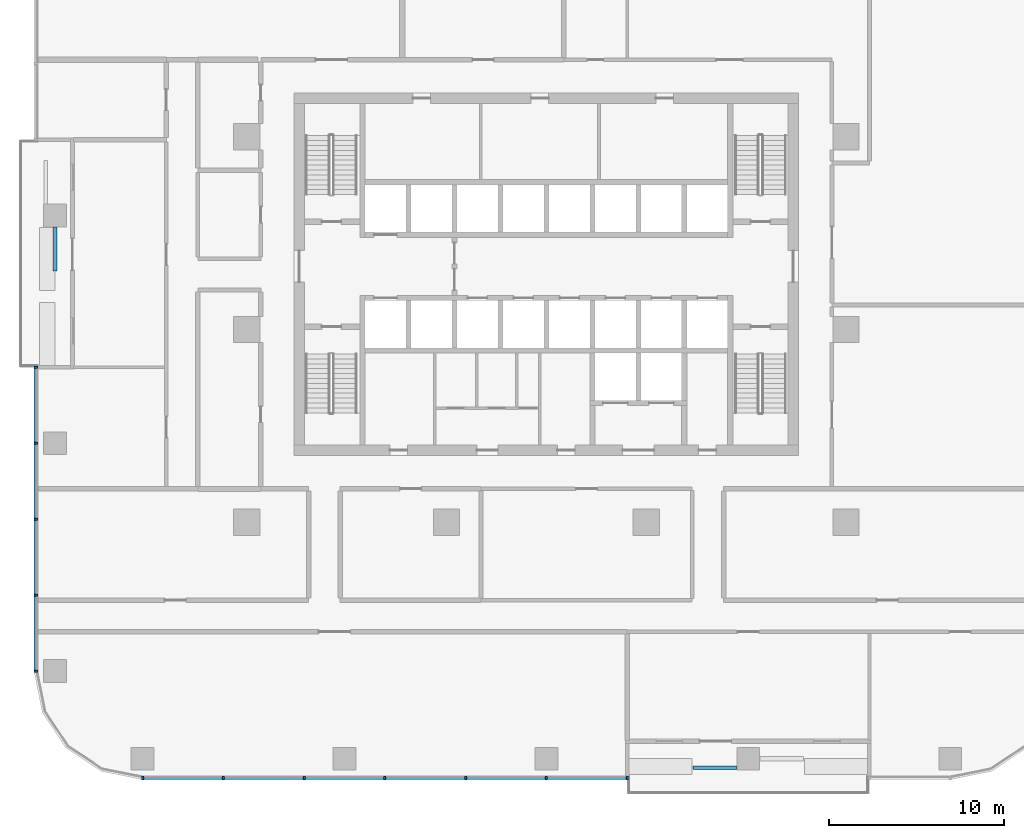
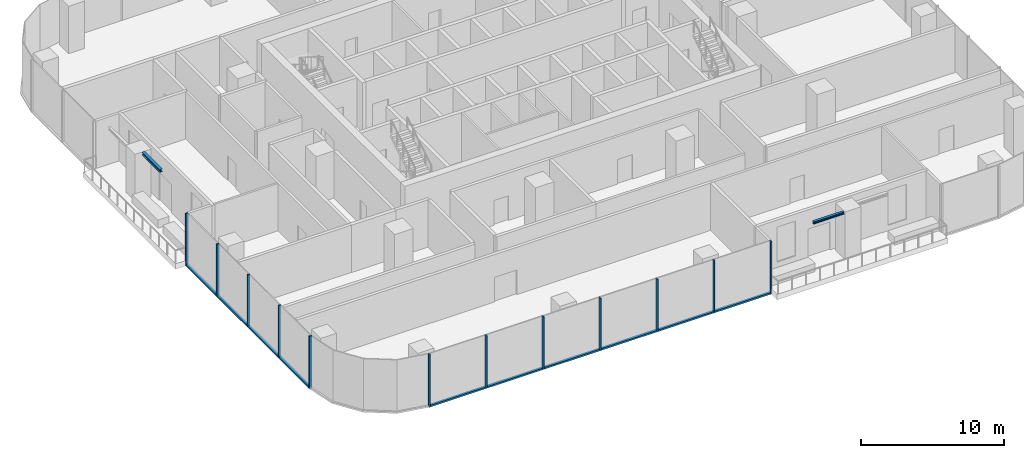
# One storey, part 2 of 15: 22 members, 2 beams, 2 elements without a shape of their own.
"""IFC4 building model written with IfcOpenShell, lengths in metres."""

from ifc_helpers import new_model, si_unit, direction, frame, origin, origin_2d, place, context, subcontext, project, spatial, rectangle, i_section, extrude, material, material_profile, profile_set, type_object, element, aggregate, save


model = new_model("IFC4")

# Units and contexts
model_context = context("Model", 3, precision=1e-05, world=origin(), true_north=direction((0.0, 1.0)))
body_context = subcontext(model_context, "Body", "Model", "MODEL_VIEW")
ifc_project = project(units=[si_unit("LENGTHUNIT", "METRE"), si_unit("AREAUNIT", "SQUARE_METRE"), si_unit("VOLUMEUNIT", "CUBIC_METRE"), si_unit("PLANEANGLEUNIT", "RADIAN"), si_unit("MASSUNIT", "GRAM", prefix="KILO")], contexts=[model_context])

# Site, building, storey
site_placement = place(None, origin())
site = spatial("IfcSite", under=ifc_project, at=site_placement, CompositionType="ELEMENT")
building_placement = place(site_placement, origin())
building = spatial("IfcBuilding", under=site, at=building_placement, Name="Mopane Tessera Tower", CompositionType="ELEMENT")
storey_placement = place(building_placement, frame((0.0, 0.0, 99.10009765625)))
storey = spatial("IfcBuildingStorey", under=building, at=storey_placement, Name="L19", CompositionType="ELEMENT", Elevation=99.10009765625)

# Curtain wall, members
ifc_material_1 = material(Name="Aluminium frame", Category="aluminium")
curtain_wall_type = type_object("IfcCurtainWallType", Name="Lower tower unitised wall", PredefinedType="NOTDEFINED", material=ifc_material_1)
curtain_wall_1_placement = place(storey_placement, origin())
curtain_wall_1 = element("IfcCurtainWall", 1, at=curtain_wall_1_placement, inside=storey, type_object=curtain_wall_type, Name="e:cw:L19:S:0", PredefinedType="NOTDEFINED")
ifc_material_2 = material(Name="Aluminium frame", Category="aluminium")
ifc_material_profile_1 = material_profile(ifc_material_2, rectangle(XDim=0.110107421875, YDim=0.199951171875, at=origin_2d()))
ifc_profile_set_1 = profile_set([ifc_material_profile_1], Name="Aluminium frame")
member_type_1 = type_object("IfcMemberType", Name="Aluminium mullion 110 x 200", PredefinedType="MULLION", material=ifc_profile_set_1)
member_1_placement = place(storey_placement, frame((-23.050048828125, -25.60009765625, -0.4501953125), z_axis=(0.0, 0.0, 1.0), x_axis=(1.0, 0.0, 0.0)))
member_1 = element("IfcMember", 2, at=member_1_placement, type_object=member_type_1, Name="e:cw:L19:S:0:mu0", PredefinedType="MULLION", context=body_context, shape_type="SweptSolid", body=[
    extrude(rectangle(XDim=0.110107421875, YDim=0.199951171875, at=origin_2d()), origin(), (0.0, 0.0, 1.0), 4.5),
])
member_2_placement = place(storey_placement, frame((-18.43994140625, -25.60009765625, -0.4501953125), z_axis=(0.0, 0.0, 1.0), x_axis=(1.0, 0.0, 0.0)))
member_2 = element("IfcMember", 3, at=member_2_placement, type_object=member_type_1, Name="e:cw:L19:S:0:mu1", PredefinedType="MULLION", context=body_context, shape_type="SweptSolid", body=[
    extrude(rectangle(XDim=0.110107421875, YDim=0.199951171875, at=origin_2d()), origin(), (0.0, 0.0, 1.0), 4.5),
])
member_3_placement = place(storey_placement, frame((-13.830078125, -25.60009765625, -0.4501953125), z_axis=(0.0, 0.0, 1.0), x_axis=(1.0, 0.0, 0.0)))
member_3 = element("IfcMember", 4, at=member_3_placement, type_object=member_type_1, Name="e:cw:L19:S:0:mu2", PredefinedType="MULLION", context=body_context, shape_type="SweptSolid", body=[
    extrude(rectangle(XDim=0.110107421875, YDim=0.199951171875, at=origin_2d()), origin(), (0.0, 0.0, 1.0), 4.5),
])
member_4_placement = place(storey_placement, frame((-9.219970703125, -25.60009765625, -0.4501953125), z_axis=(0.0, 0.0, 1.0), x_axis=(1.0, 0.0, 0.0)))
member_4 = element("IfcMember", 5, at=member_4_placement, type_object=member_type_1, Name="e:cw:L19:S:0:mu3", PredefinedType="MULLION", context=body_context, shape_type="SweptSolid", body=[
    extrude(rectangle(XDim=0.110107421875, YDim=0.199951171875, at=origin_2d()), origin(), (0.0, 0.0, 1.0), 4.5),
])
member_5_placement = place(storey_placement, frame((-4.610107421875, -25.60009765625, -0.4501953125), z_axis=(0.0, 0.0, 1.0), x_axis=(1.0, 0.0, 0.0)))
member_5 = element("IfcMember", 6, at=member_5_placement, type_object=member_type_1, Name="e:cw:L19:S:0:mu4", PredefinedType="MULLION", context=body_context, shape_type="SweptSolid", body=[
    extrude(rectangle(XDim=0.110107421875, YDim=0.199951171875, at=origin_2d()), origin(), (0.0, 0.0, 1.0), 4.5),
])
member_6_placement = place(storey_placement, frame((0.0, -25.60009765625, -0.4501953125), z_axis=(0.0, 0.0, 1.0), x_axis=(1.0, 0.0, 0.0)))
member_6 = element("IfcMember", 7, at=member_6_placement, type_object=member_type_1, Name="e:cw:L19:S:0:mu5", PredefinedType="MULLION", context=body_context, shape_type="SweptSolid", body=[
    extrude(rectangle(XDim=0.110107421875, YDim=0.199951171875, at=origin_2d()), origin(), (0.0, 0.0, 1.0), 4.5),
])
member_7_placement = place(storey_placement, frame((4.610107421875, -25.60009765625, -0.4501953125), z_axis=(0.0, 0.0, 1.0), x_axis=(1.0, 0.0, 0.0)))
member_7 = element("IfcMember", 8, at=member_7_placement, type_object=member_type_1, Name="e:cw:L19:S:0:mu6", PredefinedType="MULLION", context=body_context, shape_type="SweptSolid", body=[
    extrude(rectangle(XDim=0.110107421875, YDim=0.199951171875, at=origin_2d()), origin(), (0.0, 0.0, 1.0), 4.5),
])

curtain_wall_2_placement = place(storey_placement, origin())
curtain_wall_2 = element("IfcCurtainWall", 9, at=curtain_wall_2_placement, inside=storey, type_object=curtain_wall_type, Name="e:cw:L19:W:5", PredefinedType="NOTDEFINED")
member_8_placement = place(storey_placement, frame((-29.14990234375, -2.166748046875, -0.4501953125), z_axis=(0.0, 0.0, 1.0), x_axis=(0.0, -1.0, 0.0)))
member_8 = element("IfcMember", 10, at=member_8_placement, type_object=member_type_1, Name="e:cw:L19:W:5:mu5", PredefinedType="MULLION", context=body_context, shape_type="SweptSolid", body=[
    extrude(rectangle(XDim=0.110107421875, YDim=0.199951171875, at=origin_2d()), origin(), (0.0, 0.0, 1.0), 4.5),
])
member_9_placement = place(storey_placement, frame((-29.14990234375, -6.5, -0.4501953125), z_axis=(0.0, 0.0, 1.0), x_axis=(0.0, -1.0, 0.0)))
member_9 = element("IfcMember", 11, at=member_9_placement, type_object=member_type_1, Name="e:cw:L19:W:5:mu6", PredefinedType="MULLION", context=body_context, shape_type="SweptSolid", body=[
    extrude(rectangle(XDim=0.110107421875, YDim=0.199951171875, at=origin_2d()), origin(), (0.0, 0.0, 1.0), 4.5),
])
member_10_placement = place(storey_placement, frame((-29.14990234375, -10.833251953125, -0.4501953125), z_axis=(0.0, 0.0, 1.0), x_axis=(0.0, -1.0, 0.0)))
member_10 = element("IfcMember", 12, at=member_10_placement, type_object=member_type_1, Name="e:cw:L19:W:5:mu7", PredefinedType="MULLION", context=body_context, shape_type="SweptSolid", body=[
    extrude(rectangle(XDim=0.110107421875, YDim=0.199951171875, at=origin_2d()), origin(), (0.0, 0.0, 1.0), 4.5),
])
member_11_placement = place(storey_placement, frame((-29.14990234375, -15.166748046875, -0.4501953125), z_axis=(0.0, 0.0, 1.0), x_axis=(0.0, -1.0, 0.0)))
member_11 = element("IfcMember", 13, at=member_11_placement, type_object=member_type_1, Name="e:cw:L19:W:5:mu8", PredefinedType="MULLION", context=body_context, shape_type="SweptSolid", body=[
    extrude(rectangle(XDim=0.110107421875, YDim=0.199951171875, at=origin_2d()), origin(), (0.0, 0.0, 1.0), 4.5),
])
member_12_placement = place(storey_placement, frame((-29.14990234375, -19.5, -0.4501953125), z_axis=(0.0, 0.0, 1.0), x_axis=(0.0, -1.0, 0.0)))
member_12 = element("IfcMember", 14, at=member_12_placement, type_object=member_type_1, Name="e:cw:L19:W:5:mu9", PredefinedType="MULLION", context=body_context, shape_type="SweptSolid", body=[
    extrude(rectangle(XDim=0.110107421875, YDim=0.199951171875, at=origin_2d()), origin(), (0.0, 0.0, 1.0), 4.5),
])

# Member
ifc_material_3 = material(Name="Aluminium frame", Category="aluminium")
ifc_material_profile_2 = material_profile(ifc_material_3, rectangle(XDim=0.199951171875, YDim=0.139892578125, at=origin_2d()))
ifc_profile_set_2 = profile_set([ifc_material_profile_2], Name="Aluminium frame")
member_type_2 = type_object("IfcMemberType", Name="Aluminium transom 200 x 140", PredefinedType="USERDEFINED", material=ifc_profile_set_2)
member_13_placement = place(storey_placement, frame((-22.9951171875, -25.60009765625, -0.380126953125), z_axis=(1.0, 0.0, 0.0), x_axis=(0.0, 1.0, 0.0)))
member_13 = element("IfcMember", 15, at=member_13_placement, type_object=member_type_2, Name="e:cw:L19:S:0:tr0", ObjectType="TRANSOM", PredefinedType="USERDEFINED", context=body_context, shape_type="SweptSolid", body=[
    extrude(rectangle(XDim=0.199951171875, YDim=0.139892578125, at=origin_2d()), origin(), (0.0, 0.0, 1.0), 4.5),
])

member_14_placement = place(storey_placement, frame((-18.385009765625, -25.60009765625, -0.380126953125), z_axis=(1.0, 0.0, 0.0), x_axis=(0.0, 1.0, 0.0)))
member_14 = element("IfcMember", 16, at=member_14_placement, type_object=member_type_2, Name="e:cw:L19:S:0:tr1", ObjectType="TRANSOM", PredefinedType="USERDEFINED", context=body_context, shape_type="SweptSolid", body=[
    extrude(rectangle(XDim=0.199951171875, YDim=0.139892578125, at=origin_2d()), origin(), (0.0, 0.0, 1.0), 4.5),
])

member_15_placement = place(storey_placement, frame((-13.77490234375, -25.60009765625, -0.380126953125), z_axis=(1.0, 0.0, 0.0), x_axis=(0.0, 1.0, 0.0)))
member_15 = element("IfcMember", 17, at=member_15_placement, type_object=member_type_2, Name="e:cw:L19:S:0:tr2", ObjectType="TRANSOM", PredefinedType="USERDEFINED", context=body_context, shape_type="SweptSolid", body=[
    extrude(rectangle(XDim=0.199951171875, YDim=0.139892578125, at=origin_2d()), origin(), (0.0, 0.0, 1.0), 4.5),
])

member_16_placement = place(storey_placement, frame((-9.1650390625, -25.60009765625, -0.380126953125), z_axis=(1.0, 0.0, 0.0), x_axis=(0.0, 1.0, 0.0)))
member_16 = element("IfcMember", 18, at=member_16_placement, type_object=member_type_2, Name="e:cw:L19:S:0:tr3", ObjectType="TRANSOM", PredefinedType="USERDEFINED", context=body_context, shape_type="SweptSolid", body=[
    extrude(rectangle(XDim=0.199951171875, YDim=0.139892578125, at=origin_2d()), origin(), (0.0, 0.0, 1.0), 4.5),
])

member_17_placement = place(storey_placement, frame((-4.554931640625, -25.60009765625, -0.380126953125), z_axis=(1.0, 0.0, 0.0), x_axis=(0.0, 1.0, 0.0)))
member_17 = element("IfcMember", 19, at=member_17_placement, type_object=member_type_2, Name="e:cw:L19:S:0:tr4", ObjectType="TRANSOM", PredefinedType="USERDEFINED", context=body_context, shape_type="SweptSolid", body=[
    extrude(rectangle(XDim=0.199951171875, YDim=0.139892578125, at=origin_2d()), origin(), (0.0, 0.0, 1.0), 4.5),
])

member_18_placement = place(storey_placement, frame((0.054931640625, -25.60009765625, -0.380126953125), z_axis=(1.0, 0.0, 0.0), x_axis=(0.0, 1.0, 0.0)))
member_18 = element("IfcMember", 20, at=member_18_placement, type_object=member_type_2, Name="e:cw:L19:S:0:tr5", ObjectType="TRANSOM", PredefinedType="USERDEFINED", context=body_context, shape_type="SweptSolid", body=[
    extrude(rectangle(XDim=0.199951171875, YDim=0.139892578125, at=origin_2d()), origin(), (0.0, 0.0, 1.0), 4.5),
])

aggregate(curtain_wall_1, [member_1, member_2, member_3, member_4, member_5, member_6, member_7, member_13, member_14, member_15, member_16, member_17, member_18])

member_19_placement = place(storey_placement, frame((-29.14990234375, -2.2216796875, -0.380126953125), z_axis=(0.0, -1.0, 0.0), x_axis=(1.0, 0.0, 0.0)))
member_19 = element("IfcMember", 21, at=member_19_placement, type_object=member_type_2, Name="e:cw:L19:W:5:tr5", ObjectType="TRANSOM", PredefinedType="USERDEFINED", context=body_context, shape_type="SweptSolid", body=[
    extrude(rectangle(XDim=0.199951171875, YDim=0.139892578125, at=origin_2d()), origin(), (0.0, 0.0, 1.0), 4.223388671875),
])

member_20_placement = place(storey_placement, frame((-29.14990234375, -6.554931640625, -0.380126953125), z_axis=(0.0, -1.0, 0.0), x_axis=(1.0, 0.0, 0.0)))
member_20 = element("IfcMember", 22, at=member_20_placement, type_object=member_type_2, Name="e:cw:L19:W:5:tr6", ObjectType="TRANSOM", PredefinedType="USERDEFINED", context=body_context, shape_type="SweptSolid", body=[
    extrude(rectangle(XDim=0.199951171875, YDim=0.139892578125, at=origin_2d()), origin(), (0.0, 0.0, 1.0), 4.223388671875),
])

member_21_placement = place(storey_placement, frame((-29.14990234375, -10.888427734375, -0.380126953125), z_axis=(0.0, -1.0, 0.0), x_axis=(1.0, 0.0, 0.0)))
member_21 = element("IfcMember", 23, at=member_21_placement, type_object=member_type_2, Name="e:cw:L19:W:5:tr7", ObjectType="TRANSOM", PredefinedType="USERDEFINED", context=body_context, shape_type="SweptSolid", body=[
    extrude(rectangle(XDim=0.199951171875, YDim=0.139892578125, at=origin_2d()), origin(), (0.0, 0.0, 1.0), 4.22314453125),
])

member_22_placement = place(storey_placement, frame((-29.14990234375, -15.2216796875, -0.380126953125), z_axis=(0.0, -1.0, 0.0), x_axis=(1.0, 0.0, 0.0)))
member_22 = element("IfcMember", 24, at=member_22_placement, type_object=member_type_2, Name="e:cw:L19:W:5:tr8", ObjectType="TRANSOM", PredefinedType="USERDEFINED", context=body_context, shape_type="SweptSolid", body=[
    extrude(rectangle(XDim=0.199951171875, YDim=0.139892578125, at=origin_2d()), origin(), (0.0, 0.0, 1.0), 4.223388671875),
])

aggregate(curtain_wall_2, [member_8, member_9, member_10, member_11, member_12, member_19, member_20, member_21, member_22])

# Beams
ifc_material_4 = material(Name="Structural steel S460", Category="steel")
ifc_material_profile_3 = material_profile(ifc_material_4, i_section(OverallWidth=0.239990234375, OverallDepth=0.239990234375, WebThickness=0.010009765625, FlangeThickness=0.01708984375, FilletRadius=0.02099609375, at=origin_2d()))
ifc_profile_set_3 = profile_set([ifc_material_profile_3], Name="Structural steel S460")
beam_type_1 = type_object("IfcBeamType", Name="Terrace spandrel beam HE 240 B", PredefinedType="SPANDREL", material=ifc_profile_set_3)
beam_1_placement = place(storey_placement, frame((-28.050048828125, 5.846923828125, 3.929931640625), z_axis=(0.0, -1.0, 0.0), x_axis=(1.0, 0.0, 0.0)))
element("IfcBeam", 25, at=beam_1_placement, inside=storey, type_object=beam_type_1, Name="Terrace spandrel beam N2 L20", PredefinedType="SPANDREL", context=body_context, shape_type="SweptSolid", body=[
    extrude(i_section(OverallWidth=0.239990234375, OverallDepth=0.239990234375, WebThickness=0.010009765625, FlangeThickness=0.01708984375, FilletRadius=0.02099609375, at=origin_2d()), origin(), (0.0, 0.0, 1.0), 2.5),
])
ifc_material_5 = material(Name="Structural steel S460", Category="steel")
ifc_material_profile_4 = material_profile(ifc_material_5, i_section(OverallWidth=0.199951171875, OverallDepth=0.199951171875, WebThickness=0.009033203125, FlangeThickness=0.014892578125, FilletRadius=0.01806640625, at=origin_2d()))
ifc_profile_set_4 = profile_set([ifc_material_profile_4], Name="Structural steel S460")
beam_type_2 = type_object("IfcBeamType", Name="Terrace trimmer beam HE 200 B", PredefinedType="BEAM", material=ifc_profile_set_4)
beam_2_placement = place(storey_placement, frame((10.871826171875, -25.02001953125, 3.949951171875), z_axis=(-1.0, 0.0, 0.0), x_axis=(0.0, -1.0, 0.0)))
element("IfcBeam", 26, at=beam_2_placement, inside=storey, type_object=beam_type_2, Name="Terrace trimmer beam N3 L20", PredefinedType="BEAM", context=body_context, shape_type="SweptSolid", body=[
    extrude(i_section(OverallWidth=0.199951171875, OverallDepth=0.199951171875, WebThickness=0.009033203125, FlangeThickness=0.014892578125, FilletRadius=0.01806640625, at=origin_2d()), origin(), (0.0, 0.0, 1.0), 2.5),
])

save(model, "model.ifc")
